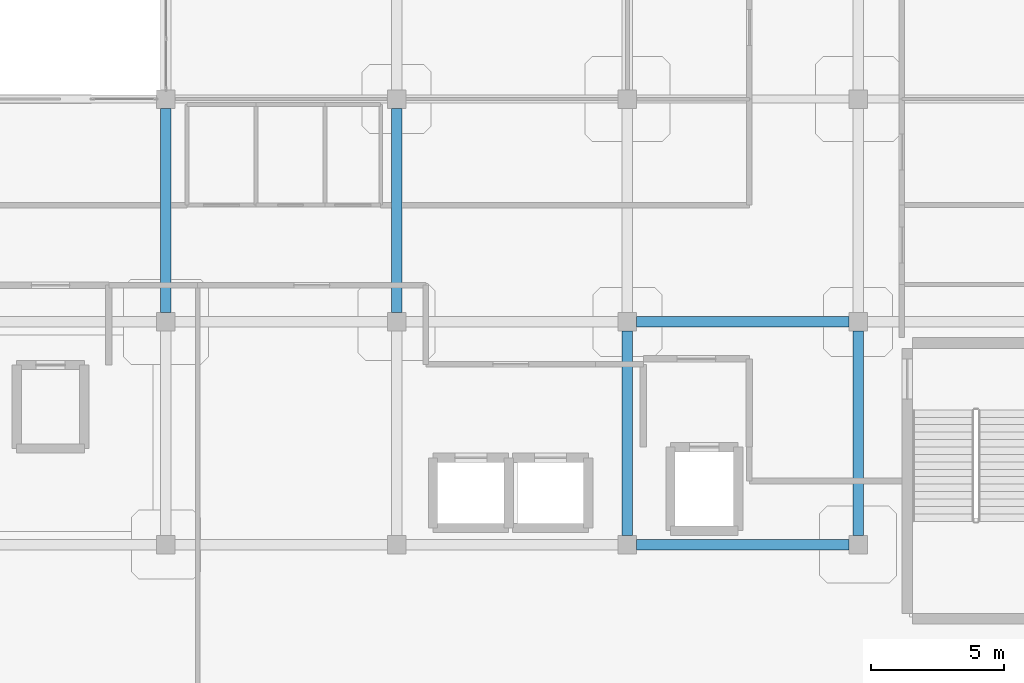
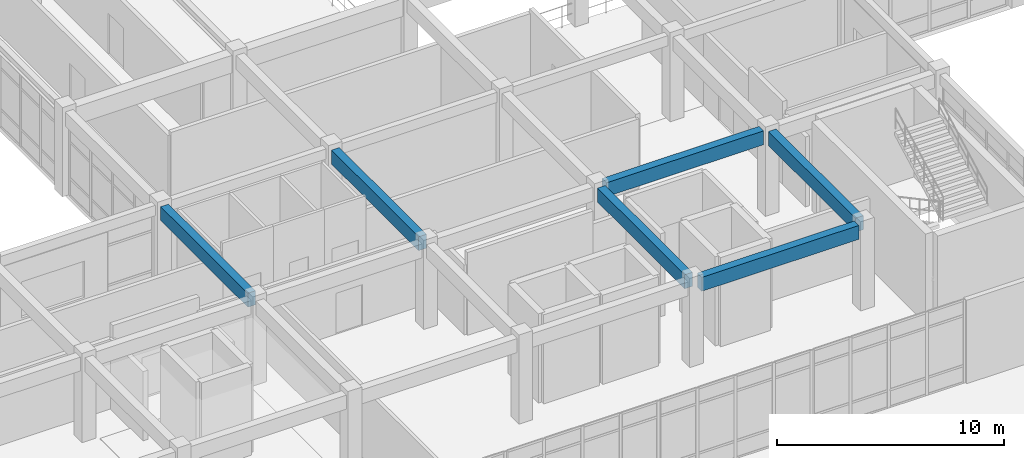
# One storey, part 15 of 64: 6 beams.
"""IFC4 building model written with IfcOpenShell, lengths in metres."""

from ifc_helpers import new_model, si_unit, derived_unit, direction, frame, origin, origin_2d, place, context, subcontext, project, spatial, rectangle, extrude, material, material_profile, profile_set, type_object, element, save


model = new_model("IFC4")

# Units and contexts
model_context = context("Model", 3, precision=1e-05, world=origin(), true_north=direction((0.0, 1.0)))
body_context = subcontext(model_context, "Body", "Model", "MODEL_VIEW")
ifc_project = project(units=[si_unit("LENGTHUNIT", "METRE"), si_unit("AREAUNIT", "SQUARE_METRE"), si_unit("VOLUMEUNIT", "CUBIC_METRE"), si_unit("PLANEANGLEUNIT", "RADIAN"), si_unit("MASSUNIT", "GRAM", prefix="KILO"), derived_unit("THERMALTRANSMITTANCEUNIT", [(si_unit("MASSUNIT", "GRAM", prefix="KILO"), 1), (si_unit("TIMEUNIT", "SECOND"), -3), (si_unit("THERMODYNAMICTEMPERATUREUNIT", "KELVIN"), -1)])], contexts=[model_context])

# Site, building, storey
site_placement = place(None, origin())
site = spatial("IfcSite", under=ifc_project, at=site_placement, CompositionType="ELEMENT")
building_placement = place(site_placement, origin())
building = spatial("IfcBuilding", under=site, at=building_placement, Name="Qinzheling Arcade Emporium", CompositionType="ELEMENT")
storey_placement = place(building_placement, frame((0.0, 0.0, 31.5)))
storey = spatial("IfcBuildingStorey", under=building, at=storey_placement, Name="L07", CompositionType="ELEMENT", Elevation=31.5)

# Beams
ifc_material = material(Name="Concrete C40", Category="concrete")
ifc_material_profile = material_profile(ifc_material, rectangle(XDim=0.39990234375, YDim=0.75, at=origin_2d()), Name="RC 400x750", Category="concrete")
ifc_profile_set = profile_set([ifc_material_profile], Name="Concrete C40")
beam_type = type_object("IfcBeamType", Name="RC Interior Tie Beam 400x750 C40", PredefinedType="BEAM", material=ifc_profile_set)
for number, where, z_axis, x_axis, name in (
    (1, (52.550048828125, 25.199951171875, 4.14501953125), (1.0, 0.0, 0.0), (0.0, 1.0, 0.0), "Beam BM-L07-X-D-7"),
    (2, (52.550048828125, 33.60009765625, 4.14501953125), (1.0, 0.0, 0.0), (0.0, 1.0, 0.0), "Beam BM-L07-X-E-7"),
):
    element("IfcBeam", number, at=place(storey_placement, frame(where, z_axis=z_axis, x_axis=x_axis)), inside=storey, type_object=beam_type, Name=name, PredefinedType="BEAM", context=body_context, shape_type="SweptSolid", body=[
        extrude(rectangle(XDim=0.39990234375, YDim=0.75, at=origin_2d()), origin(), (0.0, 0.0, 1.0), 8.0),
    ])
for number, where, z_axis, x_axis, name in (
    (3, (34.800048828125, 33.949951171875, 4.14501953125), (0.0, 1.0, 0.0), (-1.0, 0.0, 0.0), "Beam BM-L07-Y-5-E"),
    (4, (43.5, 33.949951171875, 4.14501953125), (0.0, 1.0, 0.0), (-1.0, 0.0, 0.0), "Beam BM-L07-Y-6-E"),
    (5, (52.199951171875, 25.550048828125, 4.14501953125), (0.0, 1.0, 0.0), (-1.0, 0.0, 0.0), "Beam BM-L07-Y-7-D"),
    (6, (60.89990234375, 25.550048828125, 4.14501953125), (0.0, 1.0, 0.0), (-1.0, 0.0, 0.0), "Beam BM-L07-Y-8-D"),
):
    element("IfcBeam", number, at=place(storey_placement, frame(where, z_axis=z_axis, x_axis=x_axis)), inside=storey, type_object=beam_type, Name=name, PredefinedType="BEAM", context=body_context, shape_type="SweptSolid", body=[
        extrude(rectangle(XDim=0.39990234375, YDim=0.75, at=origin_2d()), origin(), (0.0, 0.0, 1.0), 7.699951171875),
    ])

save(model, "model.ifc")
